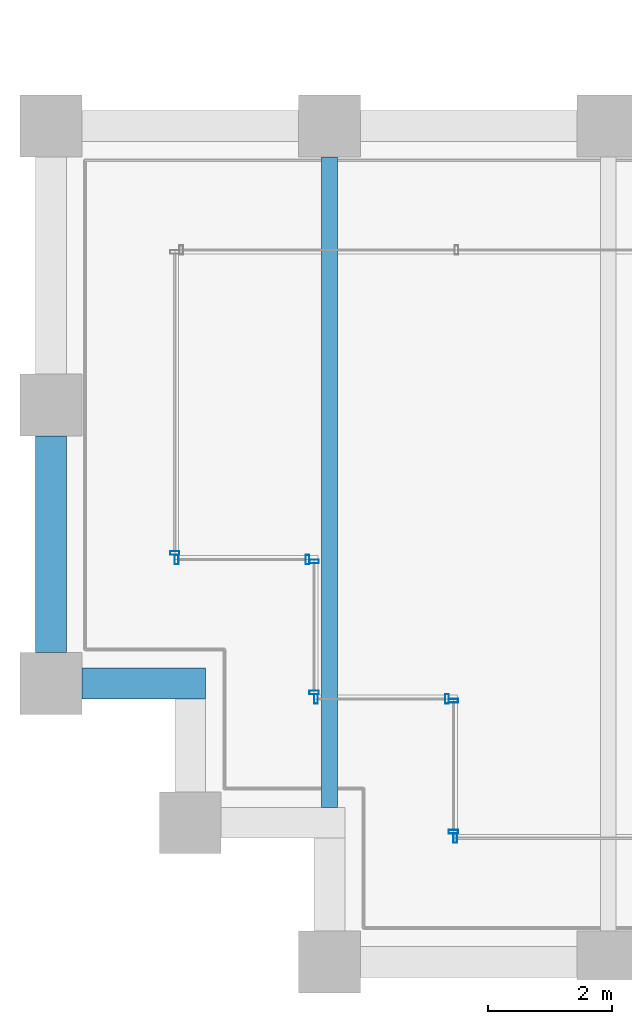
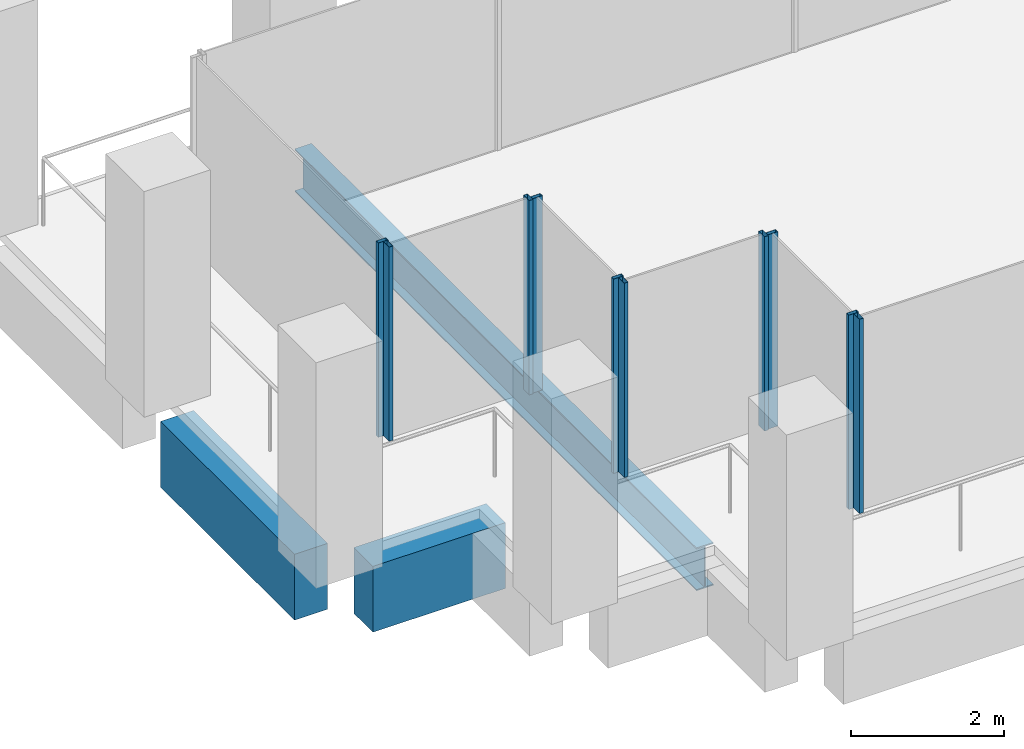
# One storey, part 2 of 45: 10 members, 3 beams, 6 elements without a shape of their own.
"""IFC4 building model written with IfcOpenShell, lengths in metres."""

from ifc_helpers import new_model, si_unit, direction, frame, origin, origin_2d, place, context, subcontext, project, spatial, rectangle, hollow_rectangle, i_section, extrude, material, material_profile, profile_set, type_object, element, aggregate, save


model = new_model("IFC4")

# Units and contexts
model_context = context("Model", 3, precision=1e-05, world=origin(), true_north=direction((0.0, 1.0)))
body_context = subcontext(model_context, "Body", "Model", "MODEL_VIEW")
ifc_project = project(units=[si_unit("LENGTHUNIT", "METRE"), si_unit("AREAUNIT", "SQUARE_METRE"), si_unit("VOLUMEUNIT", "CUBIC_METRE"), si_unit("PLANEANGLEUNIT", "RADIAN"), si_unit("MASSUNIT", "GRAM", prefix="KILO")], contexts=[model_context])

# Site, building, storey
site_placement = place(None, origin())
site = spatial("IfcSite", under=ifc_project, at=site_placement, CompositionType="ELEMENT")
building_placement = place(site_placement, origin())
building = spatial("IfcBuilding", under=site, at=building_placement, Name="Altepetl Exchange Towers", CompositionType="ELEMENT")
storey_placement = place(building_placement, frame((0.0, 0.0, 110.0)))
storey = spatial("IfcBuildingStorey", under=building, at=storey_placement, Name="L27", CompositionType="ELEMENT", Elevation=110.0)

# Beam
ifc_material_1 = material(Name="Steel S355", Category="steel")
ifc_material_profile_1 = material_profile(ifc_material_1, i_section(OverallWidth=0.25390625, OverallDepth=0.68408203125, WebThickness=0.012451171875, FlangeThickness=0.018798828125, at=origin_2d()), Name="W27X94")
ifc_profile_set_1 = profile_set([ifc_material_profile_1], Name="Steel S355")
beam_type_1 = type_object("IfcBeamType", Name="Floor beam W27X94", PredefinedType="BEAM", material=ifc_profile_set_1)
beam_1_placement = place(storey_placement, frame((31.5, 29.5, -0.491943359375), z_axis=(0.0, 1.0, 0.0), x_axis=(-1.0, 0.0, 0.0)))
element("IfcBeam", 1, at=beam_1_placement, inside=storey, type_object=beam_type_1, Name="bm:A:L27:012", PredefinedType="BEAM", context=body_context, shape_type="SweptSolid", body=[
    extrude(i_section(OverallWidth=0.25390625, OverallDepth=0.68408203125, WebThickness=0.012451171875, FlangeThickness=0.018798828125, at=origin_2d()), origin(), (0.0, 0.0, 1.0), 10.5),
])

# Curtain wall, member
ifc_material_2 = material(Name="Aluminium 6063-T6 glazing", Category="aluminium")
curtain_wall_type = type_object("IfcCurtainWallType", Name="Loggia glazing system", PredefinedType="NOTDEFINED", material=ifc_material_2)
curtain_wall_1_placement = place(storey_placement, origin())
curtain_wall_1 = element("IfcCurtainWall", 2, at=curtain_wall_1_placement, inside=storey, type_object=curtain_wall_type, Name="CW1 run", PredefinedType="NOTDEFINED")
ifc_material_3 = material(Name="Aluminium 6063-T6", Category="aluminium")
ifc_material_profile_2 = material_profile(ifc_material_3, hollow_rectangle(XDim=0.06005859375, YDim=0.14990234375, WallThickness=0.0029296875, at=origin_2d()), Name="Mullion 60x150 aluminium")
ifc_profile_set_2 = profile_set([ifc_material_profile_2], Name="Aluminium 6063-T6")
member_type = type_object("IfcMemberType", Name="Mullion 60x150 aluminium", PredefinedType="MULLION", material=ifc_profile_set_2)
member_1_placement = place(storey_placement, frame((29.0, 33.60498046875, 0.0), z_axis=(0.0, 0.0, 1.0), x_axis=(0.0, -1.0, 0.0)))
member_1 = element("IfcMember", 3, at=member_1_placement, type_object=member_type, Name="MU1 mullion", PredefinedType="MULLION", context=body_context, shape_type="SweptSolid", body=[
    extrude(hollow_rectangle(XDim=0.06005859375, YDim=0.14990234375, WallThickness=0.0029296875, at=origin_2d()), origin(), (0.0, 0.0, 1.0), 3.10009765625),
])
aggregate(curtain_wall_1, [member_1])

# Curtain wall, members
curtain_wall_2_placement = place(storey_placement, origin())
curtain_wall_2 = element("IfcCurtainWall", 4, at=curtain_wall_2_placement, inside=storey, type_object=curtain_wall_type, Name="CW1 run", PredefinedType="NOTDEFINED")
member_2_placement = place(storey_placement, frame((29.030029296875, 33.5, 0.0)))
member_2 = element("IfcMember", 5, at=member_2_placement, type_object=member_type, Name="MU1 mullion", PredefinedType="MULLION", context=body_context, shape_type="SweptSolid", body=[
    extrude(hollow_rectangle(XDim=0.06005859375, YDim=0.14990234375, WallThickness=0.0029296875, at=origin_2d()), origin(), (0.0, 0.0, 1.0), 3.10009765625),
])
member_3_placement = place(storey_placement, frame((31.14501953125, 33.5, 0.0)))
member_3 = element("IfcMember", 6, at=member_3_placement, type_object=member_type, Name="MU1 mullion", PredefinedType="MULLION", context=body_context, shape_type="SweptSolid", body=[
    extrude(hollow_rectangle(XDim=0.06005859375, YDim=0.14990234375, WallThickness=0.0029296875, at=origin_2d()), origin(), (0.0, 0.0, 1.0), 3.10009765625),
])
aggregate(curtain_wall_2, [member_2, member_3])

curtain_wall_3_placement = place(storey_placement, origin())
curtain_wall_3 = element("IfcCurtainWall", 7, at=curtain_wall_3_placement, inside=storey, type_object=curtain_wall_type, Name="CW1 run", PredefinedType="NOTDEFINED")
member_4_placement = place(storey_placement, frame((31.25, 33.469970703125, 0.0), z_axis=(0.0, 0.0, 1.0), x_axis=(0.0, -1.0, 0.0)))
member_4 = element("IfcMember", 8, at=member_4_placement, type_object=member_type, Name="MU1 mullion", PredefinedType="MULLION", context=body_context, shape_type="SweptSolid", body=[
    extrude(hollow_rectangle(XDim=0.06005859375, YDim=0.14990234375, WallThickness=0.0029296875, at=origin_2d()), origin(), (0.0, 0.0, 1.0), 3.10009765625),
])
member_5_placement = place(storey_placement, frame((31.25, 31.35498046875, 0.0), z_axis=(0.0, 0.0, 1.0), x_axis=(0.0, -1.0, 0.0)))
member_5 = element("IfcMember", 9, at=member_5_placement, type_object=member_type, Name="MU1 mullion", PredefinedType="MULLION", context=body_context, shape_type="SweptSolid", body=[
    extrude(hollow_rectangle(XDim=0.06005859375, YDim=0.14990234375, WallThickness=0.0029296875, at=origin_2d()), origin(), (0.0, 0.0, 1.0), 3.10009765625),
])
aggregate(curtain_wall_3, [member_4, member_5])

curtain_wall_4_placement = place(storey_placement, origin())
curtain_wall_4 = element("IfcCurtainWall", 10, at=curtain_wall_4_placement, inside=storey, type_object=curtain_wall_type, Name="CW1 run", PredefinedType="NOTDEFINED")
member_6_placement = place(storey_placement, frame((31.280029296875, 31.25, 0.0)))
member_6 = element("IfcMember", 11, at=member_6_placement, type_object=member_type, Name="MU1 mullion", PredefinedType="MULLION", context=body_context, shape_type="SweptSolid", body=[
    extrude(hollow_rectangle(XDim=0.06005859375, YDim=0.14990234375, WallThickness=0.0029296875, at=origin_2d()), origin(), (0.0, 0.0, 1.0), 3.10009765625),
])
member_7_placement = place(storey_placement, frame((33.39501953125, 31.25, 0.0)))
member_7 = element("IfcMember", 12, at=member_7_placement, type_object=member_type, Name="MU1 mullion", PredefinedType="MULLION", context=body_context, shape_type="SweptSolid", body=[
    extrude(hollow_rectangle(XDim=0.06005859375, YDim=0.14990234375, WallThickness=0.0029296875, at=origin_2d()), origin(), (0.0, 0.0, 1.0), 3.10009765625),
])
aggregate(curtain_wall_4, [member_6, member_7])

curtain_wall_5_placement = place(storey_placement, origin())
curtain_wall_5 = element("IfcCurtainWall", 13, at=curtain_wall_5_placement, inside=storey, type_object=curtain_wall_type, Name="CW1 run", PredefinedType="NOTDEFINED")
member_8_placement = place(storey_placement, frame((33.5, 31.219970703125, 0.0), z_axis=(0.0, 0.0, 1.0), x_axis=(0.0, -1.0, 0.0)))
member_8 = element("IfcMember", 14, at=member_8_placement, type_object=member_type, Name="MU1 mullion", PredefinedType="MULLION", context=body_context, shape_type="SweptSolid", body=[
    extrude(hollow_rectangle(XDim=0.06005859375, YDim=0.14990234375, WallThickness=0.0029296875, at=origin_2d()), origin(), (0.0, 0.0, 1.0), 3.10009765625),
])
member_9_placement = place(storey_placement, frame((33.5, 29.10498046875, 0.0), z_axis=(0.0, 0.0, 1.0), x_axis=(0.0, -1.0, 0.0)))
member_9 = element("IfcMember", 15, at=member_9_placement, type_object=member_type, Name="MU1 mullion", PredefinedType="MULLION", context=body_context, shape_type="SweptSolid", body=[
    extrude(hollow_rectangle(XDim=0.06005859375, YDim=0.14990234375, WallThickness=0.0029296875, at=origin_2d()), origin(), (0.0, 0.0, 1.0), 3.10009765625),
])
aggregate(curtain_wall_5, [member_8, member_9])

# Curtain wall, member
curtain_wall_6_placement = place(storey_placement, origin())
curtain_wall_6 = element("IfcCurtainWall", 16, at=curtain_wall_6_placement, inside=storey, type_object=curtain_wall_type, Name="CW1 run", PredefinedType="NOTDEFINED")
member_10_placement = place(storey_placement, frame((33.530029296875, 29.0, 0.0)))
member_10 = element("IfcMember", 17, at=member_10_placement, type_object=member_type, Name="MU1 mullion", PredefinedType="MULLION", context=body_context, shape_type="SweptSolid", body=[
    extrude(hollow_rectangle(XDim=0.06005859375, YDim=0.14990234375, WallThickness=0.0029296875, at=origin_2d()), origin(), (0.0, 0.0, 1.0), 3.10009765625),
])
aggregate(curtain_wall_6, [member_10])

# Beams
ifc_material_4 = material(Name="Concrete C50/60 precast with cantera blanca facing", Category="concrete")
ifc_material_profile_3 = material_profile(ifc_material_4, rectangle(XDim=0.5, YDim=1.050048828125, at=origin_2d()), Name="500 x 1050")
ifc_profile_set_3 = profile_set([ifc_material_profile_3], Name="Concrete C50/60 precast with cantera blanca facing")
beam_type_2 = type_object("IfcBeamType", Name="Spandrel beam 500x1050 cantera blanca", PredefinedType="SPANDREL", material=ifc_profile_set_3)
beam_2_placement = place(storey_placement, frame((27.0, 35.5, -0.675048828125), z_axis=(0.0, -1.0, 0.0), x_axis=(1.0, 0.0, 0.0)))
element("IfcBeam", 18, at=beam_2_placement, inside=storey, type_object=beam_type_2, Name="sp:A:L27:037", PredefinedType="SPANDREL", context=body_context, shape_type="SweptSolid", body=[
    extrude(rectangle(XDim=0.5, YDim=1.050048828125, at=origin_2d()), origin(), (0.0, 0.0, 1.0), 3.5),
])
beam_3_placement = place(storey_placement, frame((27.5, 31.5, -0.675048828125), z_axis=(1.0, 0.0, 0.0), x_axis=(0.0, 1.0, 0.0)))
element("IfcBeam", 19, at=beam_3_placement, inside=storey, type_object=beam_type_2, Name="sp:A:L27:038", PredefinedType="SPANDREL", context=body_context, shape_type="SweptSolid", body=[
    extrude(rectangle(XDim=0.5, YDim=1.050048828125, at=origin_2d()), origin(), (0.0, 0.0, 1.0), 2.0),
])

save(model, "model.ifc")
